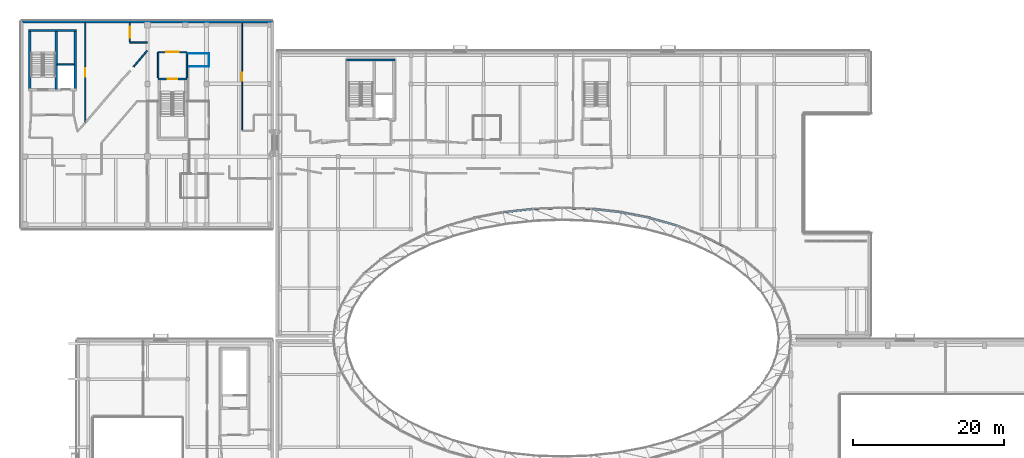
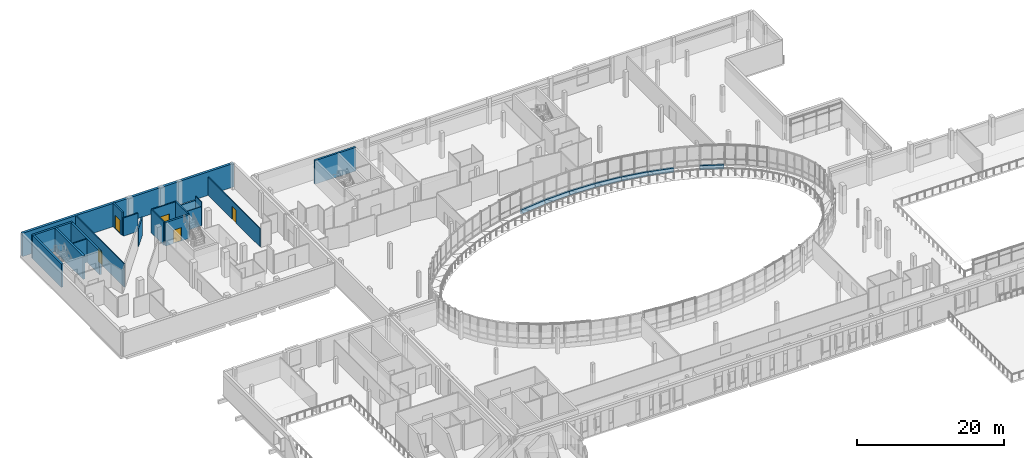
# One storey, part 46 of 73: 26 walls, 5 doors, 5 openings.
"""IFC4 building model written with IfcOpenShell, lengths in metres."""

from ifc_helpers import new_model, si_unit, direction, frame, frame_2d, origin, place, context, subcontext, project, spatial, rectangle, extrude, material, layer, layer_set, type_object, element, fill, save


model = new_model("IFC4")

# Units and contexts
model_context = context("Model", 3, precision=1e-05, world=origin(), true_north=direction((0.0, 1.0)))
body_context = subcontext(model_context, "Body", "Model", "MODEL_VIEW")
ifc_project = project(units=[si_unit("LENGTHUNIT", "METRE"), si_unit("AREAUNIT", "SQUARE_METRE"), si_unit("VOLUMEUNIT", "CUBIC_METRE"), si_unit("PLANEANGLEUNIT", "RADIAN"), si_unit("MASSUNIT", "GRAM", prefix="KILO")], contexts=[model_context])

# Site, building, storey
site_placement = place(None, origin())
site = spatial("IfcSite", under=ifc_project, at=site_placement, CompositionType="ELEMENT")
building_placement = place(site_placement, origin())
building = spatial("IfcBuilding", under=site, at=building_placement, Name="Mzevani Central Library", CompositionType="ELEMENT")
storey_placement = place(building_placement, frame((0.0, 0.0, 9.60009765625)))
storey = spatial("IfcBuildingStorey", under=building, at=storey_placement, Name="L02", CompositionType="ELEMENT", Elevation=9.60009765625)

# Wall
ifc_material_1 = material(Name="Concrete C35/45", Category="concrete")
ifc_layer_1 = layer(ifc_material_1, 0.199951171875, Name="Compartment Wall 200")
ifc_layer_set_1 = layer_set([ifc_layer_1], Name="Concrete C35/45")
wall_type_1 = type_object("IfcWallType", Name="Compartment Wall 200", PredefinedType="STANDARD", material=ifc_layer_set_1)
wall_1_placement = place(storey_placement, frame((30.60009765625, 110.39990234375, 0.0), z_axis=(0.0, 0.0, 1.0), x_axis=(0.0, 1.0, 0.0)))
element("IfcWall", 1, at=wall_1_placement, inside=storey, type_object=wall_type_1, Name="L02 Stair Vestibule C2B Enclosure Wall 1", PredefinedType="STANDARD", context=body_context, shape_type="SweptSolid", body=[
    extrude(rectangle(XDim=3.400146484375, YDim=0.199951171875, at=frame_2d((1.7001953125, 0.0))), origin(), (0.0, 0.0, 1.0), 3.8798828125),
])

# Wall, opening, door
wall_2_placement = place(storey_placement, frame((30.60009765625, 113.800048828125, 0.0), z_axis=(0.0, 0.0, 1.0), x_axis=(1.0, 0.0, 0.0)))
wall_2 = element("IfcWall", 2, at=wall_2_placement, inside=storey, type_object=wall_type_1, Name="L02 Stair Vestibule C2B Enclosure Wall 2", PredefinedType="STANDARD", context=body_context, shape_type="SweptSolid", body=[
    extrude(rectangle(XDim=3.7998046875, YDim=0.199951171875, at=frame_2d((1.89990234375, 0.0))), origin(), (0.0, 0.0, 1.0), 3.8798828125),
])
opening_1_placement = place(wall_2_placement, frame((1.10009765625, 0.0, 0.0)))
opening_1 = element("IfcOpeningElement", 3, at=opening_1_placement, cuts=wall_2, Name="Opening FD-02", PredefinedType="OPENING", context=body_context, shape_type="SweptSolid", body=[
    extrude(rectangle(XDim=1.60009765625, YDim=2.199951171875, at=frame_2d((0.800048828125, 1.10009765625))), frame((0.0, 0.10986328125, 0.0), z_axis=(0.0, -1.0, 0.0), x_axis=(1.0, 0.0, 0.0)), (0.0, 0.0, 1.0), 0.219970703125),
])
ifc_material_2 = material(Name="Fire-rated steel door assembly", Category="steel")
door_type_1 = type_object("IfcDoorType", Name="Fire Lobby Double Door 1600x2200", OperationType="NOTDEFINED", PredefinedType="DOOR", material=ifc_material_2)
door_1_placement = place(opening_1_placement, origin())
door_1 = element("IfcDoor", 4, at=door_1_placement, inside=storey, type_object=door_type_1, Name="L02 Stair Vestibule C2B Smoke-Control Door", OperationType="DOUBLE_DOOR_SINGLE_SWING", OverallHeight=2.199951171875, OverallWidth=1.60009765625, PredefinedType="DOOR", context=body_context, shape_type="SweptSolid", body=[
    extrude(rectangle(XDim=1.60009765625, YDim=2.199951171875, at=frame_2d((0.800048828125, 1.10009765625))), frame((0.0, 0.02490234375, 0.0), z_axis=(0.0, -1.0, 0.0), x_axis=(1.0, 0.0, 0.0)), (0.0, 0.0, 1.0), 0.050048828125),
])
fill(opening_1, door_1)

# Walls
wall_3_placement = place(storey_placement, frame((34.39990234375, 113.800048828125, 0.0), z_axis=(0.0, 0.0, 1.0), x_axis=(0.0, -1.0, 0.0)))
element("IfcWall", 5, at=wall_3_placement, inside=storey, type_object=wall_type_1, Name="L02 Stair Vestibule C2B Enclosure Wall 3", PredefinedType="STANDARD", context=body_context, shape_type="SweptSolid", body=[
    extrude(rectangle(XDim=3.400146484375, YDim=0.199951171875, at=frame_2d((1.7001953125, 0.0))), origin(), (0.0, 0.0, 1.0), 3.8798828125),
])
wall_4_placement = place(storey_placement, frame((26.875, 115.074951171875, 0.0), z_axis=(0.0, 0.0, 1.0), x_axis=(1.0, 0.0, 0.0)))
element("IfcWall", 6, at=wall_4_placement, inside=storey, type_object=wall_type_1, Name="L02 V2 Partition IW-COMP (409)", PredefinedType="STANDARD", context=body_context, shape_type="SweptSolid", body=[
    extrude(rectangle(XDim=2.27490234375, YDim=0.199951171875, at=frame_2d((1.137451171875, 0.0))), origin(), (0.0, 0.0, 1.0), 3.010009765625),
])
wall_5_placement = place(storey_placement, frame((29.14990234375, 113.9833984375, 0.0), z_axis=(0.0, 0.0, 1.0), x_axis=(-0.652333289854, -0.757932239022, 0.0)))
element("IfcWall", 7, at=wall_5_placement, inside=storey, type_object=wall_type_1, Name="L02 V2 Partition IW-COMP (410)", PredefinedType="STANDARD", context=body_context, shape_type="SweptSolid", body=[
    extrude(rectangle(XDim=2.7490234375, YDim=0.199951171875, at=frame_2d((1.37451171875, 0.0))), origin(), (0.0, 0.0, 1.0), 3.010009765625),
])

# Wall, opening, door
wall_6_placement = place(storey_placement, frame((26.875, 117.7099609375, 0.0), z_axis=(0.0, 0.0, 1.0), x_axis=(0.0, -1.0, 0.0)))
wall_6 = element("IfcWall", 8, at=wall_6_placement, inside=storey, type_object=wall_type_1, Name="L02 V2 Partition IW-COMP (412)", PredefinedType="STANDARD", context=body_context, shape_type="SweptSolid", body=[
    extrude(rectangle(XDim=2.534912109375, YDim=0.199951171875, at=frame_2d((1.267578125, 0.0))), origin(), (0.0, 0.0, 1.0), 3.8798828125),
])
opening_2_placement = place(wall_6_placement, frame((0.54248046875, 0.0, 0.0)))
opening_2 = element("IfcOpeningElement", 9, at=opening_2_placement, cuts=wall_6, Name="Opening FD-03", PredefinedType="OPENING", context=body_context, shape_type="SweptSolid", body=[
    extrude(rectangle(XDim=1.449951171875, YDim=2.199951171875, at=frame_2d((0.72509765625, 1.10009765625))), frame((0.0, 0.10986328125, 0.0), z_axis=(0.0, -1.0, 0.0), x_axis=(1.0, 0.0, 0.0)), (0.0, 0.0, 1.0), 0.219970703125),
])
door_type_2 = type_object("IfcDoorType", Name="Archival Vault Fire Door 1450x2200", OperationType="NOTDEFINED", PredefinedType="DOOR", material=ifc_material_2)
door_2_placement = place(opening_2_placement, origin())
door_2 = element("IfcDoor", 10, at=door_2_placement, inside=storey, type_object=door_type_2, Name="L02 Microfilm and Digital Archive Vault Door", OperationType="DOUBLE_DOOR_SINGLE_SWING", OverallHeight=2.199951171875, OverallWidth=1.449951171875, PredefinedType="DOOR", context=body_context, shape_type="SweptSolid", body=[
    extrude(rectangle(XDim=1.449951171875, YDim=2.199951171875, at=frame_2d((0.72509765625, 1.10009765625))), frame((0.0, 0.02490234375, 0.0), z_axis=(0.0, -1.0, 0.0), x_axis=(1.0, 0.0, 0.0)), (0.0, 0.0, 1.0), 0.050048828125),
])
fill(opening_2, door_2)

# Walls
ifc_material_3 = material(Name="Concrete C40/50", Category="concrete")
ifc_layer_2 = layer(ifc_material_3, 0.300048828125, Name="Core Shear Wall 300")
ifc_layer_set_2 = layer_set([ifc_layer_2], Name="Concrete C40/50")
wall_type_2 = type_object("IfcWallType", Name="Core Shear Wall 300", PredefinedType="SHEAR", material=ifc_layer_set_2)
wall_7_placement = place(storey_placement, frame((13.64990234375, 108.699951171875, 0.0), z_axis=(0.0, 0.0, 1.0), x_axis=(0.0, 1.0, 0.0)))
element("IfcWall", 11, at=wall_7_placement, inside=storey, type_object=wall_type_2, Name="L02 Core C2A North-West Firefighting Core Shear Wall (-x)", PredefinedType="SHEAR", context=body_context, shape_type="SweptSolid", body=[
    extrude(rectangle(XDim=8.10009765625, YDim=0.300048828125, at=frame_2d((4.050048828125, 0.0))), origin(), (0.0, 0.0, 1.0), 3.8798828125),
])
wall_8_placement = place(storey_placement, frame((13.5, 116.64990234375, 0.0), z_axis=(0.0, 0.0, 1.0), x_axis=(1.0, 0.0, 0.0)))
element("IfcWall", 12, at=wall_8_placement, inside=storey, type_object=wall_type_2, Name="L02 Core C2A North-West Firefighting Core Shear Wall (+y)", PredefinedType="SHEAR", context=body_context, shape_type="SweptSolid", body=[
    extrude(rectangle(XDim=6.300048828125, YDim=0.300048828125, at=frame_2d((3.14990234375, 0.0))), origin(), (0.0, 0.0, 1.0), 3.8798828125),
])
wall_9_placement = place(storey_placement, frame((19.64990234375, 116.800048828125, 0.0), z_axis=(0.0, 0.0, 1.0), x_axis=(0.0, -1.0, 0.0)))
element("IfcWall", 13, at=wall_9_placement, inside=storey, type_object=wall_type_2, Name="L02 Core C2A North-West Firefighting Core Shear Wall (+x)", PredefinedType="SHEAR", context=body_context, shape_type="SweptSolid", body=[
    extrude(rectangle(XDim=8.10009765625, YDim=0.300048828125, at=frame_2d((4.050048828125, 0.0))), origin(), (0.0, 0.0, 1.0), 3.8798828125),
])
wall_10_placement = place(storey_placement, frame((17.14990234375, 108.85009765625, 0.0), z_axis=(0.0, 0.0, 1.0), x_axis=(0.0, 1.0, 0.0)))
element("IfcWall", 14, at=wall_10_placement, inside=storey, type_object=wall_type_2, Name="L02 Core C2A North-West Firefighting Core Hoistway Shear Wall", PredefinedType="SHEAR", context=body_context, shape_type="SweptSolid", body=[
    extrude(rectangle(XDim=7.7998046875, YDim=0.300048828125, at=frame_2d((3.89990234375, 0.0))), origin(), (0.0, 0.0, 1.0), 3.8798828125),
])

# Wall, opening, door
wall_11_placement = place(storey_placement, frame((30.60009765625, 110.25, 0.0), z_axis=(0.0, 0.0, 1.0), x_axis=(1.0, 0.0, 0.0)))
wall_11 = element("IfcWall", 15, at=wall_11_placement, inside=storey, type_object=wall_type_2, Name="L02 Core C2B Stacks East Escape Stair Shear Wall (+y)", PredefinedType="SHEAR", context=body_context, shape_type="SweptSolid", body=[
    extrude(rectangle(XDim=3.7998046875, YDim=0.300048828125, at=frame_2d((1.89990234375, 0.0))), origin(), (0.0, 0.0, 1.0), 3.8798828125),
])
opening_3_placement = place(wall_11_placement, frame((1.25, 0.0, 0.0)))
opening_3 = element("IfcOpeningElement", 16, at=opening_3_placement, cuts=wall_11, Name="Opening FD-01", PredefinedType="OPENING", context=body_context, shape_type="SweptSolid", body=[
    extrude(rectangle(XDim=1.300048828125, YDim=2.199951171875, at=frame_2d((0.64990234375, 1.10009765625))), frame((0.0, 0.16015625, 0.0), z_axis=(0.0, -1.0, 0.0), x_axis=(1.0, 0.0, 0.0)), (0.0, 0.0, 1.0), 0.320068359375),
])
door_type_3 = type_object("IfcDoorType", Name="Fire Stair Door 1300x2200", OperationType="NOTDEFINED", PredefinedType="DOOR", material=ifc_material_2)
door_3_placement = place(opening_3_placement, origin())
door_3 = element("IfcDoor", 17, at=door_3_placement, inside=storey, type_object=door_type_3, Name="L02 ST-04 Protected Exit Stair Door", OperationType="SINGLE_SWING_RIGHT", OverallHeight=2.199951171875, OverallWidth=1.300048828125, PredefinedType="DOOR", context=body_context, shape_type="SweptSolid", body=[
    extrude(rectangle(XDim=1.300048828125, YDim=2.199951171875, at=frame_2d((0.64990234375, 1.10009765625))), frame((0.0, 0.02490234375, 0.0), z_axis=(0.0, -1.0, 0.0), x_axis=(1.0, 0.0, 0.0)), (0.0, 0.0, 1.0), 0.050048828125),
])
fill(opening_3, door_3)

# Walls
wall_12_placement = place(storey_placement, frame((55.5, 112.75, 0.0), z_axis=(0.0, 0.0, 1.0), x_axis=(1.0, 0.0, 0.0)))
element("IfcWall", 18, at=wall_12_placement, inside=storey, type_object=wall_type_2, Name="L02 Core C3A North-East Firefighting Core Shear Wall (+y)", PredefinedType="SHEAR", context=body_context, shape_type="SweptSolid", body=[
    extrude(rectangle(XDim=6.39990234375, YDim=0.300048828125, at=frame_2d((3.199951171875, 0.0))), origin(), (0.0, 0.0, 1.0), 3.919921875),
])
ifc_material_4 = material(Name="Precast concrete C40/50", Category="concrete")
ifc_layer_3 = layer(ifc_material_4, 0.280029296875, Name="Court Spandrel Wall 280")
ifc_layer_set_3 = layer_set([ifc_layer_3], Name="Precast concrete C40/50")
wall_type_3 = type_object("IfcWallType", Name="Court Spandrel Wall 280", PredefinedType="STANDARD", material=ifc_layer_set_3)
wall_13_placement = place(storey_placement, frame((105.39794921875, 88.14892578125, 0.0), z_axis=(0.0, 0.0, 1.0), x_axis=(-0.89538829801, 0.44528619537, 0.0)))
element("IfcWall", 19, at=wall_13_placement, inside=storey, type_object=wall_type_3, Name="L02 Elliptical Court Spandrel 7", PredefinedType="STANDARD", context=body_context, shape_type="SweptSolid", body=[
    extrude(rectangle(XDim=3.295166015625, YDim=0.280029296875, at=frame_2d((1.6474609375, 0.0))), origin(), (0.0, 0.0, 1.0), 0.719970703125),
])
wall_14_placement = place(storey_placement, frame((99.144287109375, 90.899169921875, 0.0), z_axis=(0.0, 0.0, 1.0), x_axis=(-0.963054168118, 0.269307759395, 0.0)))
element("IfcWall", 20, at=wall_14_placement, inside=storey, type_object=wall_type_3, Name="L02 Elliptical Court Spandrel 9", PredefinedType="STANDARD", context=body_context, shape_type="SweptSolid", body=[
    extrude(rectangle(XDim=3.654296875, YDim=0.280029296875, at=frame_2d((1.8271484375, 0.0))), origin(), (0.0, 0.0, 1.0), 0.719970703125),
])
wall_15_placement = place(storey_placement, frame((95.593505859375, 91.906005859375, 0.0), z_axis=(0.0, 0.0, 1.0), x_axis=(-0.981969613273, 0.189038828311, 0.0)))
element("IfcWall", 21, at=wall_15_placement, inside=storey, type_object=wall_type_3, Name="L02 Elliptical Court Spandrel 10", PredefinedType="STANDARD", context=body_context, shape_type="SweptSolid", body=[
    extrude(rectangle(XDim=3.783935546875, YDim=0.280029296875, at=frame_2d((1.89208984375, 0.0))), origin(), (0.0, 0.0, 1.0), 0.719970703125),
])
wall_16_placement = place(storey_placement, frame((91.83740234375, 92.64013671875, 0.0), z_axis=(0.0, 0.0, 1.0), x_axis=(-0.993693182807, 0.112133217394, 0.0)))
element("IfcWall", 22, at=wall_16_placement, inside=storey, type_object=wall_type_3, Name="L02 Elliptical Court Spandrel 11", PredefinedType="STANDARD", context=body_context, shape_type="SweptSolid", body=[
    extrude(rectangle(XDim=3.873291015625, YDim=0.280029296875, at=frame_2d((1.9365234375, 0.0))), origin(), (0.0, 0.0, 1.0), 0.719970703125),
])
for number, where, z_axis, x_axis, name in (
    (23, (87.94091796875, 93.085205078125, 0.0), (0.0, 0.0, 1.0), (-0.99930790262, 0.037198330083, 0.0), "L02 Elliptical Court Spandrel 12"),
    (24, (83.974609375, 93.23095703125, 0.0), (0.0, 0.0, 1.0), (-0.99930790262, -0.037198330083, 0.0), "L02 Elliptical Court Spandrel 13"),
):
    element("IfcWall", number, at=place(storey_placement, frame(where, z_axis=z_axis, x_axis=x_axis)), inside=storey, type_object=wall_type_3, Name=name, PredefinedType="STANDARD", context=body_context, shape_type="SweptSolid", body=[
        extrude(rectangle(XDim=3.918212890625, YDim=0.280029296875, at=frame_2d((1.958984375, 0.0))), origin(), (0.0, 0.0, 1.0), 0.719970703125),
    ])
wall_17_placement = place(storey_placement, frame((80.011474609375, 93.074462890625, 0.0), z_axis=(0.0, 0.0, 1.0), x_axis=(-0.993693182807, -0.112133217394, 0.0)))
element("IfcWall", 25, at=wall_17_placement, inside=storey, type_object=wall_type_3, Name="L02 Elliptical Court Spandrel 14", PredefinedType="STANDARD", context=body_context, shape_type="SweptSolid", body=[
    extrude(rectangle(XDim=3.873291015625, YDim=0.280029296875, at=frame_2d((1.9365234375, 0.0))), origin(), (0.0, 0.0, 1.0), 0.719970703125),
])
ifc_layer_4 = layer(ifc_material_4, 0.3798828125, Name="Exterior Thermal Concrete Wall 380")
ifc_layer_set_4 = layer_set([ifc_layer_4], Name="Precast concrete C40/50")
wall_type_4 = type_object("IfcWallType", Name="Exterior Thermal Concrete Wall 380", PredefinedType="STANDARD", material=ifc_layer_set_4)
wall_18_placement = place(storey_placement, frame((12.590087890625, 117.81005859375, 0.0), z_axis=(0.0, 0.0, 1.0), x_axis=(1.0, 0.0, 0.0)))
element("IfcWall", 26, at=wall_18_placement, inside=storey, type_object=wall_type_4, Name="L02 V2 Exterior Thermal Wall (26)", PredefinedType="STANDARD", context=body_context, shape_type="SweptSolid", body=[
    extrude(rectangle(XDim=33.119873046875, YDim=0.3798828125, at=frame_2d((16.56005859375, 0.0))), origin(), (0.0, 0.0, 1.0), 3.8798828125),
])
ifc_material_5 = material(Name="Fire-rated gypsum board", Category="gypsum")
ifc_layer_5 = layer(ifc_material_5, 0.10009765625, Name="Partition Gypsum 100")
ifc_layer_set_5 = layer_set([ifc_layer_5], Name="Fire-rated gypsum board")
wall_type_5 = type_object("IfcWallType", Name="Partition Gypsum 100", PredefinedType="PARTITIONING", material=ifc_layer_set_5)
wall_19_placement = place(storey_placement, frame((34.5, 113.6201171875, 0.0), z_axis=(0.0, 0.0, 1.0), x_axis=(1.0, 0.0, 0.0)))
element("IfcWall", 27, at=wall_19_placement, inside=storey, type_object=wall_type_5, Name="L02 V2 Partition IW-01 (413)", PredefinedType="PARTITIONING", context=body_context, shape_type="SweptSolid", body=[
    extrude(rectangle(XDim=2.8349609375, YDim=0.10009765625, at=frame_2d((1.41748046875, 0.0))), origin(), (0.0, 0.0, 1.0), 3.159912109375),
])
wall_20_placement = place(storey_placement, frame((37.3349609375, 113.52001953125, 0.0), z_axis=(0.0, 0.0, 1.0), x_axis=(0.0, -1.0, 0.0)))
element("IfcWall", 28, at=wall_20_placement, inside=storey, type_object=wall_type_5, Name="L02 V2 Partition IW-01 (414)", PredefinedType="PARTITIONING", context=body_context, shape_type="SweptSolid", body=[
    extrude(rectangle(XDim=1.6201171875, YDim=0.10009765625, at=frame_2d((0.81005859375, 0.0))), origin(), (0.0, 0.0, 1.0), 3.8798828125),
])
wall_21_placement = place(storey_placement, frame((37.235107421875, 111.89990234375, 0.0), z_axis=(0.0, 0.0, 1.0), x_axis=(-1.0, 0.0, 0.0)))
element("IfcWall", 29, at=wall_21_placement, inside=storey, type_object=wall_type_5, Name="L02 V2 Partition IW-01 (415)", PredefinedType="PARTITIONING", context=body_context, shape_type="SweptSolid", body=[
    extrude(rectangle(XDim=2.53515625, YDim=0.10009765625, at=frame_2d((1.267578125, 0.0))), origin(), (0.0, 0.0, 1.0), 3.159912109375),
])

# Wall, opening, door
ifc_layer_6 = layer(ifc_material_5, 0.14990234375, Name="Partition Study 150")
ifc_layer_set_6 = layer_set([ifc_layer_6], Name="Fire-rated gypsum board")
wall_type_6 = type_object("IfcWallType", Name="Partition Study 150", PredefinedType="PARTITIONING", material=ifc_layer_set_6)
wall_22_placement = place(storey_placement, frame((20.965087890625, 117.7099609375, 0.0), z_axis=(0.0, 0.0, 1.0), x_axis=(0.0, -1.0, 0.0)))
wall_22 = element("IfcWall", 30, at=wall_22_placement, inside=storey, type_object=wall_type_6, Name="L02 V2 Partition IW-03 (402)", PredefinedType="PARTITIONING", context=body_context, shape_type="SweptSolid", body=[
    extrude(rectangle(XDim=13.2353515625, YDim=0.14990234375, at=frame_2d((6.61767578125, 0.0))), origin(), (0.0, 0.0, 1.0), 3.8798828125),
])
opening_4_placement = place(wall_22_placement, frame((6.067626953125, 0.0, 0.0)))
opening_4 = element("IfcOpeningElement", 31, at=opening_4_placement, cuts=wall_22, Name="Opening FD-04", PredefinedType="OPENING", context=body_context, shape_type="SweptSolid", body=[
    extrude(rectangle(XDim=1.10009765625, YDim=2.14990234375, at=frame_2d((0.550048828125, 1.074951171875))), frame((0.0, 0.0849609375, 0.0), z_axis=(0.0, -1.0, 0.0), x_axis=(1.0, 0.0, 0.0)), (0.0, 0.0, 1.0), 0.169921875),
])
door_type_4 = type_object("IfcDoorType", Name="Fire Compartment Door 1100x2150", OperationType="NOTDEFINED", PredefinedType="DOOR", material=ifc_material_2)
door_4_placement = place(opening_4_placement, origin())
door_4 = element("IfcDoor", 32, at=door_4_placement, inside=storey, type_object=door_type_4, Name="L02 Mobile Compact Shelving Hall L02 North Door", OperationType="SINGLE_SWING_RIGHT", OverallHeight=2.14990234375, OverallWidth=1.10009765625, PredefinedType="DOOR", context=body_context, shape_type="SweptSolid", body=[
    extrude(rectangle(XDim=1.10009765625, YDim=2.14990234375, at=frame_2d((0.550048828125, 1.074951171875))), frame((0.0, 0.02490234375, 0.0), z_axis=(0.0, -1.0, 0.0), x_axis=(1.0, 0.0, 0.0)), (0.0, 0.0, 1.0), 0.050048828125),
])
fill(opening_4, door_4)

wall_23_placement = place(storey_placement, frame((41.699951171875, 103.5, 0.0), z_axis=(0.0, 0.0, 1.0), x_axis=(0.0, 1.0, 0.0)))
wall_23 = element("IfcWall", 33, at=wall_23_placement, inside=storey, type_object=wall_type_6, Name="L02 V2 Partition IW-03 (427)", PredefinedType="PARTITIONING", context=body_context, shape_type="SweptSolid", body=[
    extrude(rectangle(XDim=14.1201171875, YDim=0.14990234375, at=frame_2d((7.06005859375, 0.0))), origin(), (0.0, 0.0, 1.0), 3.010009765625),
])
opening_5_placement = place(wall_23_placement, frame((6.510009765625, 0.0, 0.0)))
opening_5 = element("IfcOpeningElement", 34, at=opening_5_placement, cuts=wall_23, Name="Opening FD-04", PredefinedType="OPENING", context=body_context, shape_type="SweptSolid", body=[
    extrude(rectangle(XDim=1.10009765625, YDim=2.14990234375, at=frame_2d((0.550048828125, 1.074951171875))), frame((0.0, 0.0849609375, 0.0), z_axis=(0.0, -1.0, 0.0), x_axis=(1.0, 0.0, 0.0)), (0.0, 0.0, 1.0), 0.169921875),
])
door_5_placement = place(opening_5_placement, origin())
door_5 = element("IfcDoor", 35, at=door_5_placement, inside=storey, type_object=door_type_4, Name="L02 Mobile Compact Shelving Hall L02 South 3 Door", OperationType="SINGLE_SWING_RIGHT", OverallHeight=2.14990234375, OverallWidth=1.10009765625, PredefinedType="DOOR", context=body_context, shape_type="SweptSolid", body=[
    extrude(rectangle(XDim=1.10009765625, YDim=2.14990234375, at=frame_2d((0.550048828125, 1.074951171875))), frame((0.0, 0.02490234375, 0.0), z_axis=(0.0, -1.0, 0.0), x_axis=(1.0, 0.0, 0.0)), (0.0, 0.0, 1.0), 0.050048828125),
])
fill(opening_5, door_5)

# Wall
ifc_material_6 = material(Name="Concrete blockwork masonry", Category="masonry")
ifc_layer_7 = layer(ifc_material_6, 0.179931640625, Name="Shaft Enclosure Wall 180")
ifc_layer_set_7 = layer_set([ifc_layer_7], Name="Concrete blockwork masonry")
wall_type_7 = type_object("IfcWallType", Name="Shaft Enclosure Wall 180", PredefinedType="PARTITIONING", material=ifc_layer_set_7)
wall_24_placement = place(storey_placement, frame((17.300048828125, 112.18994140625, 0.0), z_axis=(0.0, 0.0, 1.0), x_axis=(1.0, 0.0, 0.0)))
element("IfcWall", 36, at=wall_24_placement, inside=storey, type_object=wall_type_7, Name="L02 Lift LF-FF1 Hoistway Enclosure Wall", PredefinedType="PARTITIONING", context=body_context, shape_type="SweptSolid", body=[
    extrude(rectangle(XDim=2.199951171875, YDim=0.179931640625, at=frame_2d((1.10009765625, 0.0))), origin(), (0.0, 0.0, 1.0), 3.8798828125),
])

save(model, "model.ifc")
